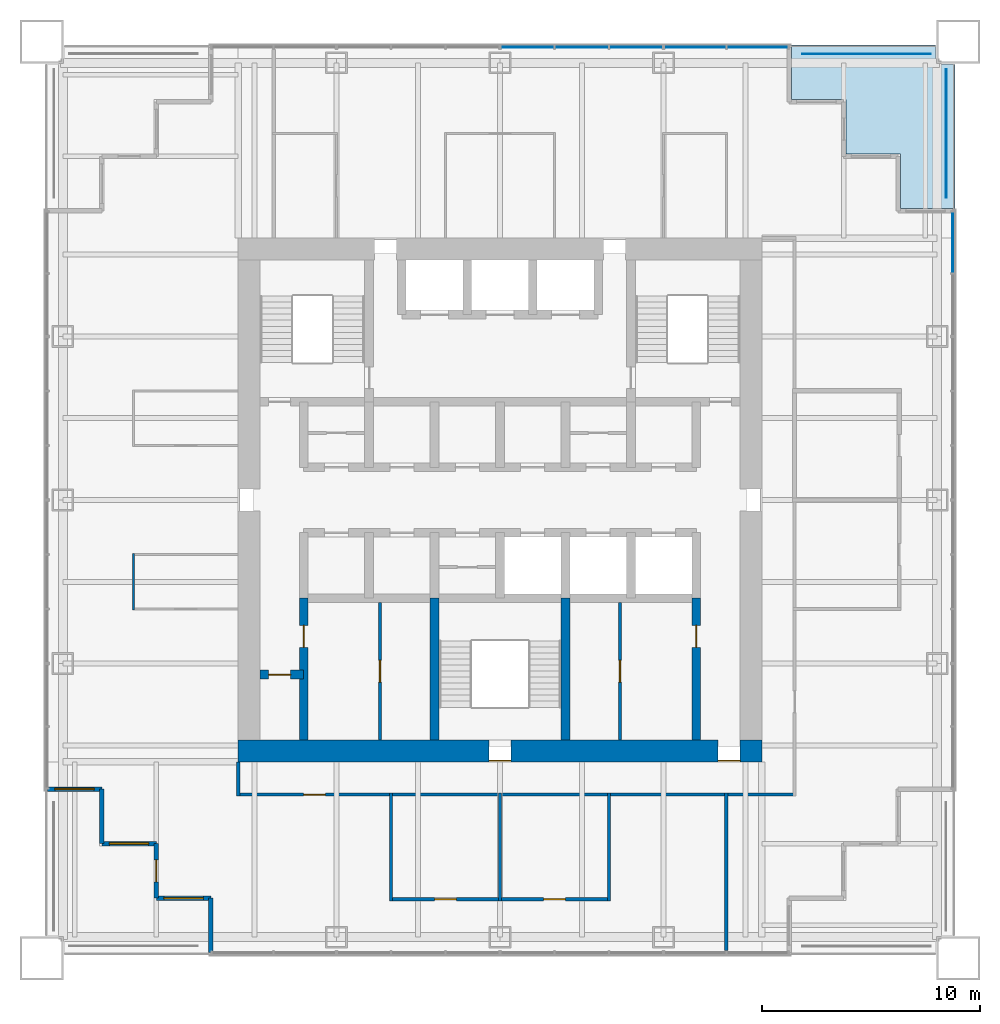
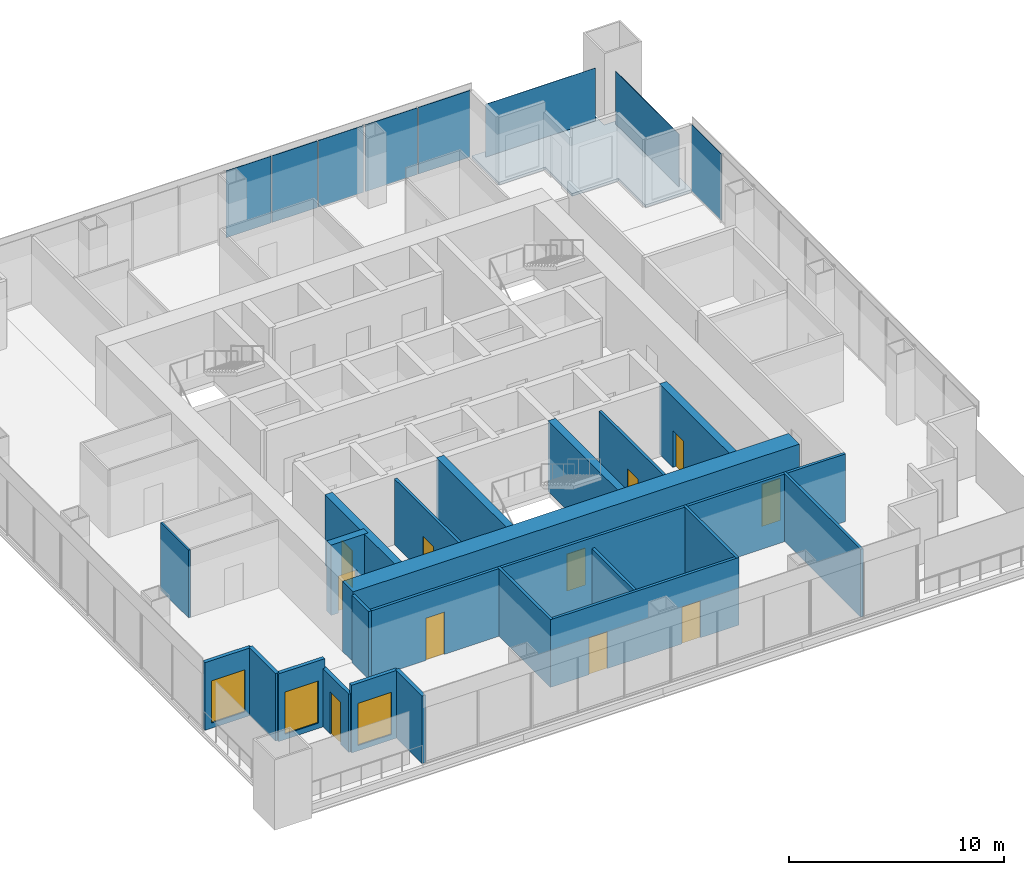
# One storey, part 9 of 14: 22 walls, 11 doors, 8 plates, 3 windows, 1 slab, 14 openings, 3 elements without a shape of their own.
"""IFC4 building model written with IfcOpenShell, lengths in metres."""

import ifcopenshell
import ifcopenshell.guid

model = None  # the IFC model being written
_history = None  # IfcOwnerHistory: only IFC2X3 demands one
_inside = {}  # id of a spatial element -> (the spatial element, [elements in it])
_under = {}  # id of a project, library or spatial element -> (it, [spatial elements below it])
_declared = {}  # id of a project -> (the project, [libraries it declares])
_typed = {}  # id of a type object -> (the type object, [elements of that type])
_made_of = {}  # id of a material, layer set ... -> (it, [elements and type objects made of it])


def new_model(schema):
    """Start an empty IFC model of exactly this schema.

    Asked for "IFC4X3", IfcOpenShell would pick the latest addendum, in which some entities
    have other attributes; the version numbers below select the first issue.
    IFC2X3 requires an IfcOwnerHistory on every rooted entity: one is made here for all.
    """
    global model, _history
    if schema == "IFC4X3":
        model = ifcopenshell.file(schema_version=(4, 3, 0, 0))
    else:
        model = ifcopenshell.file(schema=schema)
    _inside.clear()
    _under.clear()
    _declared.clear()
    _typed.clear()
    _made_of.clear()
    _history = None
    if model.schema == "IFC2X3":
        org = make("IfcOrganization", Name="unknown")
        user = make(
            "IfcPersonAndOrganization",
            ThePerson=make("IfcPerson", FamilyName="unknown"),
            TheOrganization=org,
        )
        app = make(
            "IfcApplication",
            ApplicationDeveloper=org,
            Version="unknown",
            ApplicationFullName="unknown",
            ApplicationIdentifier="unknown",
        )
        _history = make(
            "IfcOwnerHistory",
            OwningUser=user,
            OwningApplication=app,
            ChangeAction="ADDED",
            CreationDate=0,
        )
    return model


def make(cls, **values):
    """One entity of the class cls with the attributes given. An attribute that is None is left unset."""
    return model.create_entity(
        cls, **{name: value for name, value in values.items() if value is not None}
    )


def rooted(cls, **values):
    """An entity with a GlobalId (a new one), such as an element, a storey or a relation."""
    return make(cls, GlobalId=ifcopenshell.guid.new(), OwnerHistory=_history, **values)


def si_unit(unit_type, name, prefix=None):
    """IfcSIUnit, for example si_unit("LENGTHUNIT", "METRE", prefix="MILLI")."""
    return make("IfcSIUnit", UnitType=unit_type, Prefix=prefix, Name=name)


def assignment(units):
    """IfcUnitAssignment: the units of a project."""
    return None if units is None else make("IfcUnitAssignment", Units=units)


def point(xyz):
    """IfcCartesianPoint."""
    return None if xyz is None else make("IfcCartesianPoint", Coordinates=xyz)


def direction(xyz):
    """IfcDirection."""
    return None if xyz is None else make("IfcDirection", DirectionRatios=xyz)


def frame(location, z_axis=None, x_axis=None):
    """IfcAxis2Placement3D, a coordinate frame: its origin and axes. An axis left out is left unset."""
    return make(
        "IfcAxis2Placement3D",
        Location=point(location),
        Axis=direction(z_axis),
        RefDirection=direction(x_axis),
    )


def frame_2d(location, x_axis=None):
    """IfcAxis2Placement2D, a coordinate frame in the plane: its origin and x axis."""
    return make(
        "IfcAxis2Placement2D", Location=point(location), RefDirection=direction(x_axis)
    )


def origin():
    """The frame at (0, 0, 0) with its axes left unset."""
    return frame((0.0, 0.0, 0.0))


def origin_2d():
    """The frame at (0, 0) in the plane with its x axis left unset."""
    return frame_2d((0.0, 0.0))


def place(relative_to, where):
    """IfcLocalPlacement: puts the frame where relative to a parent placement (None: the world)."""
    return make(
        "IfcLocalPlacement", PlacementRelTo=relative_to, RelativePlacement=where
    )


def context(
    kind, dimensions, precision=None, world=None, true_north=None, identifier=None
):
    """IfcGeometricRepresentationContext, for example the 3D "Model" context."""
    return make(
        "IfcGeometricRepresentationContext",
        ContextIdentifier=identifier,
        ContextType=kind,
        CoordinateSpaceDimension=dimensions,
        Precision=precision,
        WorldCoordinateSystem=world,
        TrueNorth=true_north,
    )


def subcontext(parent, identifier, kind, view, scale=None):
    """IfcGeometricRepresentationSubContext, for example "Body" below "Model"."""
    return make(
        "IfcGeometricRepresentationSubContext",
        ContextIdentifier=identifier,
        ContextType=kind,
        ParentContext=parent,
        TargetScale=scale,
        TargetView=view,
    )


def project(units=None, contexts=None):
    """IfcProject with its units and contexts."""
    return rooted(
        "IfcProject",
        Name="project",
        RepresentationContexts=contexts,
        UnitsInContext=assignment(units),
    )


def spatial(cls, under=None, at=None, **own):
    """A site, building, storey or space (cls), placed at a placement, below another one or the project."""
    s = rooted(cls, ObjectPlacement=at, **own)
    if under is not None:
        _under.setdefault(under.id(), (under, []))[1].append(s)
    return s


def polyline(points):
    """IfcPolyline through the points."""
    return make("IfcPolyline", Points=[point(p) for p in points])


def profile(cls, at=None, kind="AREA", **sizes):
    """A parametric profile (cls). Its sizes go by their IFC names, for example OverallWidth=200.0."""
    return make(cls, ProfileType=kind, Position=at, **sizes)


def rectangle(**sizes):
    """IfcRectangleProfileDef."""
    return profile("IfcRectangleProfileDef", **sizes)


def outline(outer, holes=None, kind="AREA"):
    """IfcArbitraryClosedProfileDef: a profile drawn as a closed curve; with holes, ...WithVoids."""
    if holes is None:
        return make("IfcArbitraryClosedProfileDef", ProfileType=kind, OuterCurve=outer)
    return make(
        "IfcArbitraryProfileDefWithVoids",
        ProfileType=kind,
        OuterCurve=outer,
        InnerCurves=holes,
    )


def extrude(swept, where, along, depth):
    """IfcExtrudedAreaSolid: the profile swept, set in the frame where, extruded along a direction by depth."""
    return make(
        "IfcExtrudedAreaSolid",
        SweptArea=swept,
        Position=where,
        ExtrudedDirection=direction(along),
        Depth=depth,
    )


def shape(context_of_items, identifier, shape_type, items):
    """IfcShapeRepresentation: the items that make up one representation, for example the "Body"."""
    return make(
        "IfcShapeRepresentation",
        ContextOfItems=context_of_items,
        RepresentationIdentifier=identifier,
        RepresentationType=shape_type,
        Items=items,
    )


def material(Name=None, Category=None):
    """IfcMaterial."""
    return make("IfcMaterial", Name=Name, Category=Category)


def layer(
    of_material, thickness, ventilated=None, Name=None, Category=None, Priority=None
):
    """IfcMaterialLayer: one layer of a wall or slab, of a material (None: an air gap)."""
    return make(
        "IfcMaterialLayer",
        Material=of_material,
        LayerThickness=thickness,
        IsVentilated=ventilated,
        Name=Name,
        Category=Category,
        Priority=Priority,
    )


def layer_set(layers, Name=None):
    """IfcMaterialLayerSet."""
    return make("IfcMaterialLayerSet", MaterialLayers=layers, LayerSetName=Name)


def made_of(thing, what):
    """Note that an element or type object is made of a material, layer set ...; save() writes the relation."""
    if what is not None:
        _made_of.setdefault(what.id(), (what, []))[1].append(thing)
    return thing


def type_object(cls, material=None, **own):
    """A type object (cls), such as IfcWallType, which elements share."""
    return made_of(rooted(cls, **own), material)


def element(
    cls,
    number,
    at=None,
    inside=None,
    cuts=None,
    type_object=None,
    material=None,
    context=None,
    identifier="Body",
    shape_type=None,
    held_by="IfcProductDefinitionShape",
    body=None,
    shapes=None,
    **own,
):
    """One element of the class cls, such as IfcWall. Its Tag is "e" and its number.

    at: its placement. inside: the storey or other place that contains it. cuts: it is an
    opening in that element (IfcRelVoidsElement). A single representation is given by context,
    identifier, shape_type and body (its items); several are given by shapes. held_by: the class
    of the entity that holds the representations. save() writes the other relations.
    """
    e = rooted(cls, Tag="e%d" % number, ObjectPlacement=at, **own)
    if body is not None:
        shapes = [shape(context, identifier, shape_type, body)]
    if shapes is not None:
        e.Representation = make(held_by, Representations=shapes)
    if inside is not None:
        _inside.setdefault(inside.id(), (inside, []))[1].append(e)
    if cuts is not None:
        rooted(
            "IfcRelVoidsElement", RelatingBuildingElement=cuts, RelatedOpeningElement=e
        )
    if type_object is not None:
        _typed.setdefault(type_object.id(), (type_object, []))[1].append(e)
    return made_of(e, material)


def fill(opening, filler):
    """IfcRelFillsElement: the door or window that sits in an opening."""
    return rooted(
        "IfcRelFillsElement",
        RelatingOpeningElement=opening,
        RelatedBuildingElement=filler,
    )


def aggregate(whole, parts):
    """IfcRelAggregates: a whole, such as a stair, and the parts it consists of."""
    return rooted("IfcRelAggregates", RelatingObject=whole, RelatedObjects=parts)


def save(model, path):
    """Write the relations noted so far, then the file.

    IfcRelAggregates (storeys below a building ...), IfcRelContainedInSpatialStructure (elements
    in a storey), IfcRelDefinesByType, IfcRelAssociatesMaterial and IfcRelDeclares: one each for
    every whole, place, type object, material and project.
    """
    for whole, parts in _under.values():
        aggregate(whole, parts)
    for where, things in _inside.values():
        rooted(
            "IfcRelContainedInSpatialStructure",
            RelatedElements=things,
            RelatingStructure=where,
        )
    for kind, things in _typed.values():
        rooted("IfcRelDefinesByType", RelatedObjects=things, RelatingType=kind)
    for what, things in _made_of.values():
        rooted("IfcRelAssociatesMaterial", RelatedObjects=things, RelatingMaterial=what)
    for by, libraries in _declared.values():
        rooted("IfcRelDeclares", RelatingContext=by, RelatedDefinitions=libraries)
    model.write(path)


model = new_model("IFC4")

# Units and contexts
model_context = context("Model", 3, precision=1e-05, world=origin(), true_north=direction((0.0, 1.0)))
body_context = subcontext(model_context, "Body", "Model", "MODEL_VIEW")
ifc_project = project(units=[si_unit("LENGTHUNIT", "METRE"), si_unit("AREAUNIT", "SQUARE_METRE"), si_unit("VOLUMEUNIT", "CUBIC_METRE"), si_unit("PLANEANGLEUNIT", "RADIAN"), si_unit("MASSUNIT", "GRAM", prefix="KILO")], contexts=[model_context])

# Site, building, storey
site_placement = place(None, origin())
site = spatial("IfcSite", under=ifc_project, at=site_placement, CompositionType="ELEMENT")
building_placement = place(site_placement, origin())
building = spatial("IfcBuilding", under=site, at=building_placement, Name="Tarangal Relay Tower", CompositionType="ELEMENT")
storey_placement = place(building_placement, frame((0.0, 0.0, 291.89990234375)))
storey = spatial("IfcBuildingStorey", under=building, at=storey_placement, Name="L64", CompositionType="ELEMENT", Elevation=291.89990234375)

# Curtain wall, plates
ifc_material_1 = material(Name="Unitised curtain wall, dark glass and black aluminium", Category="aluminium")
curtain_wall_type = type_object("IfcCurtainWallType", Name="Curtain wall CW-B", PredefinedType="USERDEFINED", material=ifc_material_1)
curtain_wall_1_placement = place(storey_placement, origin())
curtain_wall_1 = element("IfcCurtainWall", 1, at=curtain_wall_1_placement, inside=storey, type_object=curtain_wall_type, Name="Curtain wall CW-B N facade L64", ObjectType="UNITISED CURTAIN WALL", PredefinedType="USERDEFINED")
ifc_material_2 = material(Name="Dark tinted insulated glass unit", Category="glass")
ifc_layer_1 = layer(ifc_material_2, 0.030029296875)
ifc_layer_set_1 = layer_set([ifc_layer_1], Name="Glazed panel CW-B 30")
plate_type_1 = type_object("IfcPlateType", Name="Glazed panel CW-B 30", PredefinedType="CURTAIN_PANEL", material=ifc_layer_set_1)
plate_1_placement = place(storey_placement, frame((1.264892578125, 20.75, 0.06005859375), z_axis=(0.0, 0.0, 1.0), x_axis=(1.0, 0.0, 0.0)))
plate_1 = element("IfcPlate", 2, at=plate_1_placement, type_object=plate_type_1, Name="CW-B panel 1.1", PredefinedType="CURTAIN_PANEL", context=body_context, shape_type="SweptSolid", body=[
    extrude(rectangle(XDim=2.409912109375, YDim=0.030029296875, at=origin_2d()), origin(), (0.0, 0.0, 1.0), 3.7900390625),
])
plate_2_placement = place(storey_placement, frame((3.75, 20.75, 0.06005859375), z_axis=(0.0, 0.0, 1.0), x_axis=(1.0, 0.0, 0.0)))
plate_2 = element("IfcPlate", 3, at=plate_2_placement, type_object=plate_type_1, Name="CW-B panel 2.1", PredefinedType="CURTAIN_PANEL", context=body_context, shape_type="SweptSolid", body=[
    extrude(rectangle(XDim=2.43994140625, YDim=0.030029296875, at=origin_2d()), origin(), (0.0, 0.0, 1.0), 3.7900390625),
])
plate_3_placement = place(storey_placement, frame((6.235107421875, 20.75, 0.06005859375), z_axis=(0.0, 0.0, 1.0), x_axis=(1.0, 0.0, 0.0)))
plate_3 = element("IfcPlate", 4, at=plate_3_placement, type_object=plate_type_1, Name="CW-B panel 3.1", PredefinedType="CURTAIN_PANEL", context=body_context, shape_type="SweptSolid", body=[
    extrude(rectangle(XDim=2.409912109375, YDim=0.030029296875, at=origin_2d()), origin(), (0.0, 0.0, 1.0), 3.7900390625),
])
aggregate(curtain_wall_1, [plate_1, plate_2, plate_3])

curtain_wall_2_placement = place(storey_placement, origin())
curtain_wall_2 = element("IfcCurtainWall", 5, at=curtain_wall_2_placement, inside=storey, type_object=curtain_wall_type, Name="Curtain wall CW-B N facade L64", ObjectType="UNITISED CURTAIN WALL", PredefinedType="USERDEFINED")
plate_4_placement = place(storey_placement, frame((8.952392578125, 20.75, 0.06005859375), z_axis=(0.0, 0.0, 1.0), x_axis=(1.0, 0.0, 0.0)))
plate_4 = element("IfcPlate", 6, at=plate_4_placement, type_object=plate_type_1, Name="CW-B panel 1.1", PredefinedType="CURTAIN_PANEL", context=body_context, shape_type="SweptSolid", body=[
    extrude(rectangle(XDim=2.784912109375, YDim=0.030029296875, at=origin_2d()), origin(), (0.0, 0.0, 1.0), 3.7900390625),
])
plate_5_placement = place(storey_placement, frame((11.797607421875, 20.75, 0.06005859375), z_axis=(0.0, 0.0, 1.0), x_axis=(1.0, 0.0, 0.0)))
plate_5 = element("IfcPlate", 7, at=plate_5_placement, type_object=plate_type_1, Name="CW-B panel 2.1", PredefinedType="CURTAIN_PANEL", context=body_context, shape_type="SweptSolid", body=[
    extrude(rectangle(XDim=2.784912109375, YDim=0.030029296875, at=origin_2d()), origin(), (0.0, 0.0, 1.0), 3.7900390625),
])
aggregate(curtain_wall_2, [plate_4, plate_5])

# Curtain wall, plate
curtain_wall_3_placement = place(storey_placement, origin())
curtain_wall_3 = element("IfcCurtainWall", 8, at=curtain_wall_3_placement, inside=storey, type_object=curtain_wall_type, Name="Curtain wall CW-B E facade L64", ObjectType="UNITISED CURTAIN WALL", PredefinedType="USERDEFINED")
plate_6_placement = place(storey_placement, frame((20.75, 11.797607421875, 0.06005859375), z_axis=(0.0, 0.0, 1.0), x_axis=(0.0, -1.0, 0.0)))
plate_6 = element("IfcPlate", 9, at=plate_6_placement, type_object=plate_type_1, Name="CW-B panel 1.1", PredefinedType="CURTAIN_PANEL", context=body_context, shape_type="SweptSolid", body=[
    extrude(rectangle(XDim=2.784912109375, YDim=0.030029296875, at=origin_2d()), origin(), (0.0, 0.0, 1.0), 3.7900390625),
])
aggregate(curtain_wall_3, [plate_6])

# Plates
ifc_material_3 = material(Name="Black stainless steel cable trellis with climbing planting", Category="steel")
ifc_layer_2 = layer(ifc_material_3, 0.030029296875)
ifc_layer_set_2 = layer_set([ifc_layer_2], Name="Planted trellis screen")
plate_type_2 = type_object("IfcPlateType", Name="Planted trellis screen", PredefinedType="SHEET", material=ifc_layer_set_2)
plate_7_placement = place(storey_placement, frame((20.449951171875, 16.800048828125, 0.0), z_axis=(0.0, 0.0, 1.0), x_axis=(0.0, -1.0, 0.0)))
element("IfcPlate", 10, at=plate_7_placement, inside=storey, type_object=plate_type_2, Name="Planted trellis SC2 NE L64", PredefinedType="SHEET", context=body_context, shape_type="SweptSolid", body=[
    extrude(rectangle(XDim=5.89990234375, YDim=0.030029296875, at=origin_2d()), origin(), (0.0, 0.0, 1.0), 3.0),
])
ifc_material_4 = material(Name="Perforated black aluminium screen", Category="aluminium")
ifc_layer_3 = layer(ifc_material_4, 0.02001953125)
ifc_layer_set_3 = layer_set([ifc_layer_3], Name="Terrace screen panel")
plate_type_3 = type_object("IfcPlateType", Name="Terrace screen panel", PredefinedType="SHEET", material=ifc_layer_set_3)
plate_8_placement = place(storey_placement, frame((16.800048828125, 20.449951171875, 0.0), z_axis=(0.0, 0.0, 1.0), x_axis=(1.0, 0.0, 0.0)))
element("IfcPlate", 11, at=plate_8_placement, inside=storey, type_object=plate_type_3, Name="Terrace screen SC1 NE L64", PredefinedType="SHEET", context=body_context, shape_type="SweptSolid", body=[
    extrude(rectangle(XDim=5.89990234375, YDim=0.02001953125, at=origin_2d()), origin(), (0.0, 0.0, 1.0), 3.0),
])

# Slab
ifc_material_5 = material(Name="Concrete fc' 35 MPa", Category="concrete")
ifc_layer_4 = layer(ifc_material_5, 0.14990234375)
ifc_layer_set_4 = layer_set([ifc_layer_4], Name="Terrace slab 150")
slab_type = type_object("IfcSlabType", Name="Terrace slab 150", PredefinedType="FLOOR", material=ifc_layer_set_4)
slab_placement = place(storey_placement, frame((0.0, 0.0, -0.14990234375)))
element("IfcSlab", 12, at=slab_placement, inside=storey, type_object=slab_type, Name="Corner terrace NE L64", PredefinedType="FLOOR", context=body_context, shape_type="SweptSolid", body=[
    extrude(outline(polyline([(13.35009765625, 20.85009765625), (13.35009765625, 18.35009765625), (15.85009765625, 18.35009765625), (15.85009765625, 15.85009765625), (18.35009765625, 15.85009765625), (18.35009765625, 13.35009765625), (20.85009765625, 13.35009765625), (20.85009765625, 19.949951171875), (19.949951171875, 19.949951171875), (19.949951171875, 20.85009765625), (13.35009765625, 20.85009765625)])), origin(), (0.0, 0.0, 1.0), 0.14990234375),
])

# Wall, opening, door
ifc_material_6 = material(Name="Concrete fc' 60 MPa", Category="concrete")
ifc_layer_5 = layer(ifc_material_6, 0.39990234375)
ifc_layer_set_5 = layer_set([ifc_layer_5], Name="Core inner wall 400")
wall_type_1 = type_object("IfcWallType", Name="Core inner wall 400", PredefinedType="SHEAR", material=ifc_layer_set_5)
wall_1_placement = place(storey_placement, frame((-11.0, -8.0, 0.0), z_axis=(0.0, 0.0, 1.0), x_axis=(1.0, 0.0, 0.0)))
wall_1 = element("IfcWall", 13, at=wall_1_placement, inside=storey, type_object=wall_type_1, Name="Core wall YM8 L64", PredefinedType="SHEAR", context=body_context, shape_type="SweptSolid", body=[
    extrude(rectangle(XDim=2.0, YDim=0.39990234375, at=frame_2d((1.0, 0.0))), origin(), (0.0, 0.0, 1.0), 4.0),
])
opening_1_placement = place(wall_1_placement, frame((0.39990234375, 0.0, 0.0)))
opening_1 = element("IfcOpeningElement", 14, at=opening_1_placement, cuts=wall_1, Name="Opening D1", PredefinedType="OPENING", context=body_context, shape_type="SweptSolid", body=[
    extrude(rectangle(XDim=1.0, YDim=2.10009765625, at=frame_2d((0.5, 1.050048828125))), frame((0.0, 0.2099609375, 0.0), z_axis=(0.0, -1.0, 0.0), x_axis=(1.0, 0.0, 0.0)), (0.0, 0.0, 1.0), 0.419921875),
])
ifc_material_7 = material(Name="Hardwood door", Category="wood")
door_type_1 = type_object("IfcDoorType", Name="WC door 1000 x 2100", OperationType="SINGLE_SWING_LEFT", PredefinedType="DOOR", material=ifc_material_7)
door_1_placement = place(opening_1_placement, origin())
door_1 = element("IfcDoor", 15, at=door_1_placement, inside=storey, type_object=door_type_1, Name="Accessible WC door L64", OperationType="SINGLE_SWING_LEFT", OverallHeight=2.10009765625, OverallWidth=1.0, PredefinedType="DOOR", context=body_context, shape_type="SweptSolid", body=[
    extrude(rectangle(XDim=1.0, YDim=2.10009765625, at=frame_2d((0.5, 1.050048828125))), frame((0.0, 0.02490234375, 0.0), z_axis=(0.0, -1.0, 0.0), x_axis=(1.0, 0.0, 0.0)), (0.0, 0.0, 1.0), 0.050048828125),
])
fill(opening_1, door_1)

wall_2_placement = place(storey_placement, frame((-9.0, -11.0, 0.0), z_axis=(0.0, 0.0, 1.0), x_axis=(0.0, 1.0, 0.0)))
wall_2 = element("IfcWall", 16, at=wall_2_placement, inside=storey, type_object=wall_type_1, Name="Core wall XM9W L64", PredefinedType="SHEAR", context=body_context, shape_type="SweptSolid", body=[
    extrude(rectangle(XDim=6.5, YDim=0.39990234375, at=frame_2d((3.25, 0.0))), origin(), (0.0, 0.0, 1.0), 4.0),
])
opening_2_placement = place(wall_2_placement, frame((4.25, 0.0, 0.0)))
opening_2 = element("IfcOpeningElement", 17, at=opening_2_placement, cuts=wall_2, Name="Opening D1", PredefinedType="OPENING", context=body_context, shape_type="SweptSolid", body=[
    extrude(rectangle(XDim=1.0, YDim=2.10009765625, at=frame_2d((0.5, 1.050048828125))), frame((0.0, 0.2099609375, 0.0), z_axis=(0.0, -1.0, 0.0), x_axis=(1.0, 0.0, 0.0)), (0.0, 0.0, 1.0), 0.419921875),
])
door_2_placement = place(opening_2_placement, origin())
door_2 = element("IfcDoor", 18, at=door_2_placement, inside=storey, type_object=door_type_1, Name="Male WC door L64", OperationType="SINGLE_SWING_LEFT", OverallHeight=2.10009765625, OverallWidth=1.0, PredefinedType="DOOR", context=body_context, shape_type="SweptSolid", body=[
    extrude(rectangle(XDim=1.0, YDim=2.10009765625, at=frame_2d((0.5, 1.050048828125))), frame((0.0, 0.02490234375, 0.0), z_axis=(0.0, -1.0, 0.0), x_axis=(1.0, 0.0, 0.0)), (0.0, 0.0, 1.0), 0.050048828125),
])
fill(opening_2, door_2)

wall_3_placement = place(storey_placement, frame((9.0, -11.0, 0.0), z_axis=(0.0, 0.0, 1.0), x_axis=(0.0, 1.0, 0.0)))
wall_3 = element("IfcWall", 19, at=wall_3_placement, inside=storey, type_object=wall_type_1, Name="Core wall X9W L64", PredefinedType="SHEAR", context=body_context, shape_type="SweptSolid", body=[
    extrude(rectangle(XDim=6.5, YDim=0.39990234375, at=frame_2d((3.25, 0.0))), origin(), (0.0, 0.0, 1.0), 4.0),
])
opening_3_placement = place(wall_3_placement, frame((4.25, 0.0, 0.0)))
opening_3 = element("IfcOpeningElement", 20, at=opening_3_placement, cuts=wall_3, Name="Opening D1", PredefinedType="OPENING", context=body_context, shape_type="SweptSolid", body=[
    extrude(rectangle(XDim=1.0, YDim=2.10009765625, at=frame_2d((0.5, 1.050048828125))), frame((0.0, 0.2099609375, 0.0), z_axis=(0.0, -1.0, 0.0), x_axis=(1.0, 0.0, 0.0)), (0.0, 0.0, 1.0), 0.419921875),
])
door_3_placement = place(opening_3_placement, origin())
door_3 = element("IfcDoor", 21, at=door_3_placement, inside=storey, type_object=door_type_1, Name="Female WC door L64", OperationType="SINGLE_SWING_LEFT", OverallHeight=2.10009765625, OverallWidth=1.0, PredefinedType="DOOR", context=body_context, shape_type="SweptSolid", body=[
    extrude(rectangle(XDim=1.0, YDim=2.10009765625, at=frame_2d((0.5, 1.050048828125))), frame((0.0, 0.02490234375, 0.0), z_axis=(0.0, -1.0, 0.0), x_axis=(1.0, 0.0, 0.0)), (0.0, 0.0, 1.0), 0.050048828125),
])
fill(opening_3, door_3)

# Walls
for number, where, z_axis, x_axis, name in (
    (22, (-3.0, -11.0, 0.0), (0.0, 0.0, 1.0), (0.0, 1.0, 0.0), "Core wall XM3W L64"),
    (23, (3.0, -11.0, 0.0), (0.0, 0.0, 1.0), (0.0, 1.0, 0.0), "Core wall X3W L64"),
):
    element("IfcWall", number, at=place(storey_placement, frame(where, z_axis=z_axis, x_axis=x_axis)), inside=storey, type_object=wall_type_1, Name=name, PredefinedType="SHEAR", context=body_context, shape_type="SweptSolid", body=[
        extrude(rectangle(XDim=6.5, YDim=0.39990234375, at=frame_2d((3.25, 0.0))), origin(), (0.0, 0.0, 1.0), 4.0),
    ])

# Wall, openings, doors
ifc_layer_6 = layer(ifc_material_6, 1.0)
ifc_layer_set_6 = layer_set([ifc_layer_6], Name="Core wall 1000")
wall_type_2 = type_object("IfcWallType", Name="Core wall 1000", PredefinedType="SHEAR", material=ifc_layer_set_6)
wall_4_placement = place(storey_placement, frame((12.0, -11.5, 0.0), z_axis=(0.0, 0.0, 1.0), x_axis=(-1.0, 0.0, 0.0)))
wall_4 = element("IfcWall", 24, at=wall_4_placement, inside=storey, type_object=wall_type_2, Name="Core wall S L64", PredefinedType="SHEAR", context=body_context, shape_type="SweptSolid", body=[
    extrude(rectangle(XDim=24.0, YDim=1.0, at=frame_2d((12.0, 0.0))), origin(), (0.0, 0.0, 1.0), 4.0),
])
opening_4_placement = place(wall_4_placement, frame((11.5, 0.0, 0.0)))
opening_4 = element("IfcOpeningElement", 25, at=opening_4_placement, cuts=wall_4, Name="Opening FD1", PredefinedType="OPENING", context=body_context, shape_type="SweptSolid", body=[
    extrude(rectangle(XDim=1.0, YDim=2.10009765625, at=frame_2d((0.5, 1.050048828125))), frame((0.0, 0.510009765625, 0.0), z_axis=(0.0, -1.0, 0.0), x_axis=(1.0, 0.0, 0.0)), (0.0, 0.0, 1.0), 1.02001953125),
])
opening_5_placement = place(wall_4_placement, frame((1.0, 0.0, 0.0)))
opening_5 = element("IfcOpeningElement", 26, at=opening_5_placement, cuts=wall_4, Name="Opening FD3", PredefinedType="OPENING", context=body_context, shape_type="SweptSolid", body=[
    extrude(rectangle(XDim=1.0, YDim=2.39990234375, at=frame_2d((0.5, 1.199951171875))), frame((0.0, 0.510009765625, 0.0), z_axis=(0.0, -1.0, 0.0), x_axis=(1.0, 0.0, 0.0)), (0.0, 0.0, 1.0), 1.02001953125),
])
ifc_material_8 = material(Name="Steel door with hardwood frame", Category="steel")
door_type_2 = type_object("IfcDoorType", Name="Fire door 1000 x 2100", OperationType="SINGLE_SWING_LEFT", PredefinedType="DOOR", material=ifc_material_8)
door_4_placement = place(opening_4_placement, origin())
door_4 = element("IfcDoor", 27, at=door_4_placement, inside=storey, type_object=door_type_2, Name="Stair ST-C door L64", OperationType="SINGLE_SWING_LEFT", OverallHeight=2.10009765625, OverallWidth=1.0, PredefinedType="DOOR", context=body_context, shape_type="SweptSolid", body=[
    extrude(rectangle(XDim=1.0, YDim=2.10009765625, at=frame_2d((0.5, 1.050048828125))), frame((0.0, 0.48486328125, 0.0), z_axis=(0.0, -1.0, 0.0), x_axis=(1.0, 0.0, 0.0)), (0.0, 0.0, 1.0), 0.050048828125),
])
fill(opening_4, door_4)
door_type_3 = type_object("IfcDoorType", Name="Fire door 1000 x 2400 core entry", OperationType="SINGLE_SWING_RIGHT", PredefinedType="DOOR", material=ifc_material_8)
door_5_placement = place(opening_5_placement, origin())
door_5 = element("IfcDoor", 28, at=door_5_placement, inside=storey, type_object=door_type_3, Name="Core entry door south east L64", OperationType="SINGLE_SWING_RIGHT", OverallHeight=2.39990234375, OverallWidth=1.0, PredefinedType="DOOR", context=body_context, shape_type="SweptSolid", body=[
    extrude(rectangle(XDim=1.0, YDim=2.39990234375, at=frame_2d((0.5, 1.199951171875))), frame((0.0, 0.48486328125, 0.0), z_axis=(0.0, -1.0, 0.0), x_axis=(1.0, 0.0, 0.0)), (0.0, 0.0, 1.0), 0.050048828125),
])
fill(opening_5, door_5)

# Wall
ifc_material_9 = material(Name="Black metal clad insulated wall", Category="steel")
ifc_layer_7 = layer(ifc_material_9, 0.199951171875)
ifc_layer_set_7 = layer_set([ifc_layer_7], Name="Corner wall metal clad 200")
wall_type_3 = type_object("IfcWallType", Name="Corner wall metal clad 200", PredefinedType="SOLIDWALL", material=ifc_layer_set_7)
wall_5_placement = place(storey_placement, frame((-13.25, -20.75, 0.0), z_axis=(0.0, 0.0, 1.0), x_axis=(0.0, 1.0, 0.0)))
element("IfcWall", 29, at=wall_5_placement, inside=storey, type_object=wall_type_3, Name="Facade wall S facade L64", PredefinedType="SOLIDWALL", context=body_context, shape_type="SweptSolid", body=[
    extrude(rectangle(XDim=2.5, YDim=0.199951171875, at=frame_2d((1.25, 0.0))), origin(), (0.0, 0.0, 1.0), 3.85009765625),
])

# Wall, opening, window
wall_6_placement = place(storey_placement, frame((-13.25, -18.25, 0.0), z_axis=(0.0, 0.0, 1.0), x_axis=(-1.0, 0.0, 0.0)))
wall_6 = element("IfcWall", 30, at=wall_6_placement, inside=storey, type_object=wall_type_3, Name="Facade wall S facade L64", PredefinedType="SOLIDWALL", context=body_context, shape_type="SweptSolid", body=[
    extrude(rectangle(XDim=2.5, YDim=0.199951171875, at=frame_2d((1.25, 0.0))), origin(), (0.0, 0.0, 1.0), 3.85009765625),
])
opening_6_placement = place(wall_6_placement, frame((0.35009765625, 0.0, 0.300048828125)))
opening_6 = element("IfcOpeningElement", 31, at=opening_6_placement, cuts=wall_6, Name="Opening WN2", PredefinedType="OPENING", context=body_context, shape_type="SweptSolid", body=[
    extrude(rectangle(XDim=1.800048828125, YDim=2.39990234375, at=frame_2d((0.89990234375, 1.199951171875))), frame((0.0, 0.10986328125, 0.0), z_axis=(0.0, -1.0, 0.0), x_axis=(1.0, 0.0, 0.0)), (0.0, 0.0, 1.0), 0.219970703125),
])
ifc_material_10 = material(Name="Dark tinted double glazing in black aluminium frame", Category="aluminium")
window_type = type_object("IfcWindowType", Name="Corner window 1800 x 2400", PartitioningType="SINGLE_PANEL", PredefinedType="WINDOW", material=ifc_material_10)
window_1_placement = place(opening_6_placement, origin())
window_1 = element("IfcWindow", 32, at=window_1_placement, inside=storey, type_object=window_type, Name="Corner window WN2 S facade L64", OverallHeight=2.39990234375, OverallWidth=1.800048828125, PartitioningType="SINGLE_PANEL", PredefinedType="WINDOW", context=body_context, shape_type="SweptSolid", body=[
    extrude(rectangle(XDim=1.800048828125, YDim=2.39990234375, at=frame_2d((0.89990234375, 1.199951171875))), frame((0.0, 0.030029296875, 0.0), z_axis=(0.0, -1.0, 0.0), x_axis=(1.0, 0.0, 0.0)), (0.0, 0.0, 1.0), 0.06005859375),
])
fill(opening_6, window_1)

# Wall, opening, door
wall_7_placement = place(storey_placement, frame((-15.75, -18.25, 0.0), z_axis=(0.0, 0.0, 1.0), x_axis=(0.0, 1.0, 0.0)))
wall_7 = element("IfcWall", 33, at=wall_7_placement, inside=storey, type_object=wall_type_3, Name="Facade wall S facade L64", PredefinedType="SOLIDWALL", context=body_context, shape_type="SweptSolid", body=[
    extrude(rectangle(XDim=2.5, YDim=0.199951171875, at=frame_2d((1.25, 0.0))), origin(), (0.0, 0.0, 1.0), 3.316650390625),
])
opening_7_placement = place(wall_7_placement, frame((0.75, 0.0, 0.0)))
opening_7 = element("IfcOpeningElement", 34, at=opening_7_placement, cuts=wall_7, Name="Opening TD1", PredefinedType="OPENING", context=body_context, shape_type="SweptSolid", body=[
    extrude(rectangle(XDim=1.0, YDim=2.39990234375, at=frame_2d((0.5, 1.199951171875))), frame((0.0, 0.10986328125, 0.0), z_axis=(0.0, -1.0, 0.0), x_axis=(1.0, 0.0, 0.0)), (0.0, 0.0, 1.0), 0.219970703125),
])
ifc_material_11 = material(Name="Aluminium glazed door", Category="aluminium")
door_type_4 = type_object("IfcDoorType", Name="Terrace door 1000 x 2400", OperationType="SINGLE_SWING_RIGHT", PredefinedType="DOOR", material=ifc_material_11)
door_6_placement = place(opening_7_placement, origin())
door_6 = element("IfcDoor", 35, at=door_6_placement, inside=storey, type_object=door_type_4, Name="Terrace door TD1 SW L64", OperationType="SINGLE_SWING_RIGHT", OverallHeight=2.39990234375, OverallWidth=1.0, PredefinedType="DOOR", context=body_context, shape_type="SweptSolid", body=[
    extrude(rectangle(XDim=1.0, YDim=2.39990234375, at=frame_2d((0.5, 1.199951171875))), frame((0.0, 0.02490234375, 0.0), z_axis=(0.0, -1.0, 0.0), x_axis=(1.0, 0.0, 0.0)), (0.0, 0.0, 1.0), 0.050048828125),
])
fill(opening_7, door_6)

# Wall, opening, window
wall_8_placement = place(storey_placement, frame((-15.75, -15.75, 0.0), z_axis=(0.0, 0.0, 1.0), x_axis=(-1.0, 0.0, 0.0)))
wall_8 = element("IfcWall", 36, at=wall_8_placement, inside=storey, type_object=wall_type_3, Name="Facade wall S facade L64", PredefinedType="SOLIDWALL", context=body_context, shape_type="SweptSolid", body=[
    extrude(rectangle(XDim=2.5, YDim=0.199951171875, at=frame_2d((1.25, 0.0))), origin(), (0.0, 0.0, 1.0), 3.85009765625),
])
opening_8_placement = place(wall_8_placement, frame((0.35009765625, 0.0, 0.300048828125)))
opening_8 = element("IfcOpeningElement", 37, at=opening_8_placement, cuts=wall_8, Name="Opening WN2", PredefinedType="OPENING", context=body_context, shape_type="SweptSolid", body=[
    extrude(rectangle(XDim=1.800048828125, YDim=2.39990234375, at=frame_2d((0.89990234375, 1.199951171875))), frame((0.0, 0.10986328125, 0.0), z_axis=(0.0, -1.0, 0.0), x_axis=(1.0, 0.0, 0.0)), (0.0, 0.0, 1.0), 0.219970703125),
])
window_2_placement = place(opening_8_placement, origin())
window_2 = element("IfcWindow", 38, at=window_2_placement, inside=storey, type_object=window_type, Name="Corner window WN2 S facade L64", OverallHeight=2.39990234375, OverallWidth=1.800048828125, PartitioningType="SINGLE_PANEL", PredefinedType="WINDOW", context=body_context, shape_type="SweptSolid", body=[
    extrude(rectangle(XDim=1.800048828125, YDim=2.39990234375, at=frame_2d((0.89990234375, 1.199951171875))), frame((0.0, 0.030029296875, 0.0), z_axis=(0.0, -1.0, 0.0), x_axis=(1.0, 0.0, 0.0)), (0.0, 0.0, 1.0), 0.06005859375),
])
fill(opening_8, window_2)

# Wall
wall_9_placement = place(storey_placement, frame((-18.25, -15.75, 0.0), z_axis=(0.0, 0.0, 1.0), x_axis=(0.0, 1.0, 0.0)))
element("IfcWall", 39, at=wall_9_placement, inside=storey, type_object=wall_type_3, Name="Facade wall S facade L64", PredefinedType="SOLIDWALL", context=body_context, shape_type="SweptSolid", body=[
    extrude(rectangle(XDim=2.5, YDim=0.199951171875, at=frame_2d((1.25, 0.0))), origin(), (0.0, 0.0, 1.0), 3.85009765625),
])

# Wall, opening, window
wall_10_placement = place(storey_placement, frame((-18.25, -13.25, 0.0), z_axis=(0.0, 0.0, 1.0), x_axis=(-1.0, 0.0, 0.0)))
wall_10 = element("IfcWall", 40, at=wall_10_placement, inside=storey, type_object=wall_type_3, Name="Facade wall S facade L64", PredefinedType="SOLIDWALL", context=body_context, shape_type="SweptSolid", body=[
    extrude(rectangle(XDim=2.5, YDim=0.199951171875, at=frame_2d((1.25, 0.0))), origin(), (0.0, 0.0, 1.0), 3.85009765625),
])
opening_9_placement = place(wall_10_placement, frame((0.35009765625, 0.0, 0.300048828125)))
opening_9 = element("IfcOpeningElement", 41, at=opening_9_placement, cuts=wall_10, Name="Opening WN2", PredefinedType="OPENING", context=body_context, shape_type="SweptSolid", body=[
    extrude(rectangle(XDim=1.800048828125, YDim=2.39990234375, at=frame_2d((0.89990234375, 1.199951171875))), frame((0.0, 0.10986328125, 0.0), z_axis=(0.0, -1.0, 0.0), x_axis=(1.0, 0.0, 0.0)), (0.0, 0.0, 1.0), 0.219970703125),
])
window_3_placement = place(opening_9_placement, origin())
window_3 = element("IfcWindow", 42, at=window_3_placement, inside=storey, type_object=window_type, Name="Corner window WN2 S facade L64", OverallHeight=2.39990234375, OverallWidth=1.800048828125, PartitioningType="SINGLE_PANEL", PredefinedType="WINDOW", context=body_context, shape_type="SweptSolid", body=[
    extrude(rectangle(XDim=1.800048828125, YDim=2.39990234375, at=frame_2d((0.89990234375, 1.199951171875))), frame((0.0, 0.030029296875, 0.0), z_axis=(0.0, -1.0, 0.0), x_axis=(1.0, 0.0, 0.0)), (0.0, 0.0, 1.0), 0.06005859375),
])
fill(opening_9, window_3)

# Wall
ifc_material_12 = material(Name="Double glazed aluminium framed partition", Category="aluminium")
ifc_layer_8 = layer(ifc_material_12, 0.10009765625)
ifc_layer_set_8 = layer_set([ifc_layer_8], Name="Glazed partition 100")
wall_type_4 = type_object("IfcWallType", Name="Glazed partition 100", PredefinedType="PARTITIONING", material=ifc_layer_set_8)
wall_11_placement = place(storey_placement, frame((-16.800048828125, -5.050048828125, 0.0), z_axis=(0.0, 0.0, 1.0), x_axis=(0.0, 1.0, 0.0)))
element("IfcWall", 43, at=wall_11_placement, inside=storey, type_object=wall_type_4, Name="Partition PT3 L64", PredefinedType="PARTITIONING", context=body_context, shape_type="SweptSolid", body=[
    extrude(rectangle(XDim=2.60009765625, YDim=0.10009765625, at=frame_2d((1.300048828125, 0.0))), origin(), (0.0, 0.0, 1.0), 3.85009765625),
])

# Wall, openings, doors
ifc_material_13 = material(Name="Gypsum board on steel studs", Category="steel")
ifc_layer_9 = layer(ifc_material_13, 0.14990234375)
ifc_layer_set_9 = layer_set([ifc_layer_9], Name="Partition 150")
wall_type_5 = type_object("IfcWallType", Name="Partition 150", PredefinedType="PARTITIONING", material=ifc_layer_set_9)
wall_12_placement = place(storey_placement, frame((-5.074951171875, -18.300048828125, 0.0), z_axis=(0.0, 0.0, 1.0), x_axis=(1.0, 0.0, 0.0)))
wall_12 = element("IfcWall", 44, at=wall_12_placement, inside=storey, type_object=wall_type_5, Name="Partition PT1 L64", PredefinedType="PARTITIONING", context=body_context, shape_type="SweptSolid", body=[
    extrude(rectangle(XDim=10.14990234375, YDim=0.14990234375, at=frame_2d((5.074951171875, 0.0))), origin(), (0.0, 0.0, 1.0), 3.85009765625),
])
opening_10_placement = place(wall_12_placement, frame((7.074951171875, 0.0, 0.0)))
opening_10 = element("IfcOpeningElement", 45, at=opening_10_placement, cuts=wall_12, Name="Opening D2", PredefinedType="OPENING", context=body_context, shape_type="SweptSolid", body=[
    extrude(rectangle(XDim=1.0, YDim=2.10009765625, at=frame_2d((0.5, 1.050048828125))), frame((0.0, 0.0849609375, 0.0), z_axis=(0.0, -1.0, 0.0), x_axis=(1.0, 0.0, 0.0)), (0.0, 0.0, 1.0), 0.169921875),
])
opening_11_placement = place(wall_12_placement, frame((2.074951171875, 0.0, 0.0)))
opening_11 = element("IfcOpeningElement", 46, at=opening_11_placement, cuts=wall_12, Name="Opening D2", PredefinedType="OPENING", context=body_context, shape_type="SweptSolid", body=[
    extrude(rectangle(XDim=1.0, YDim=2.10009765625, at=frame_2d((0.5, 1.050048828125))), frame((0.0, 0.0849609375, 0.0), z_axis=(0.0, -1.0, 0.0), x_axis=(1.0, 0.0, 0.0)), (0.0, 0.0, 1.0), 0.169921875),
])
door_type_5 = type_object("IfcDoorType", Name="Door 1000 x 2100", OperationType="SINGLE_SWING_LEFT", PredefinedType="DOOR", material=ifc_material_7)
door_7_placement = place(opening_10_placement, origin())
door_7 = element("IfcDoor", 47, at=door_7_placement, inside=storey, type_object=door_type_5, Name="Door D2 to print room L64-07", OperationType="SINGLE_SWING_LEFT", OverallHeight=2.10009765625, OverallWidth=1.0, PredefinedType="DOOR", context=body_context, shape_type="SweptSolid", body=[
    extrude(rectangle(XDim=1.0, YDim=2.10009765625, at=frame_2d((0.5, 1.050048828125))), frame((0.0, 0.02490234375, 0.0), z_axis=(0.0, -1.0, 0.0), x_axis=(1.0, 0.0, 0.0)), (0.0, 0.0, 1.0), 0.050048828125),
])
fill(opening_10, door_7)
door_8_placement = place(opening_11_placement, origin())
door_8 = element("IfcDoor", 48, at=door_8_placement, inside=storey, type_object=door_type_5, Name="Door D2 to tea pantry L64-08", OperationType="SINGLE_SWING_LEFT", OverallHeight=2.10009765625, OverallWidth=1.0, PredefinedType="DOOR", context=body_context, shape_type="SweptSolid", body=[
    extrude(rectangle(XDim=1.0, YDim=2.10009765625, at=frame_2d((0.5, 1.050048828125))), frame((0.0, 0.02490234375, 0.0), z_axis=(0.0, -1.0, 0.0), x_axis=(1.0, 0.0, 0.0)), (0.0, 0.0, 1.0), 0.050048828125),
])
fill(opening_11, door_8)

# Wall, opening, door
wall_13_placement = place(storey_placement, frame((-12.074951171875, -13.5, 0.0), z_axis=(0.0, 0.0, 1.0), x_axis=(1.0, 0.0, 0.0)))
wall_13 = element("IfcWall", 49, at=wall_13_placement, inside=storey, type_object=wall_type_5, Name="Partition PT1 L64", PredefinedType="PARTITIONING", context=body_context, shape_type="SweptSolid", body=[
    extrude(rectangle(XDim=25.64990234375, YDim=0.14990234375, at=frame_2d((12.824951171875, 0.0))), origin(), (0.0, 0.0, 1.0), 3.85009765625),
])
opening_12_placement = place(wall_13_placement, frame((3.074951171875, 0.0, 0.0)))
opening_12 = element("IfcOpeningElement", 50, at=opening_12_placement, cuts=wall_13, Name="Opening SD1", PredefinedType="OPENING", context=body_context, shape_type="SweptSolid", body=[
    extrude(rectangle(XDim=1.0, YDim=2.39990234375, at=frame_2d((0.5, 1.199951171875))), frame((0.0, 0.0849609375, 0.0), z_axis=(0.0, -1.0, 0.0), x_axis=(1.0, 0.0, 0.0)), (0.0, 0.0, 1.0), 0.169921875),
])
door_type_6 = type_object("IfcDoorType", Name="Suite entrance door 1000 x 2400", OperationType="SINGLE_SWING_RIGHT", PredefinedType="DOOR", material=ifc_material_8)
door_9_placement = place(opening_12_placement, origin())
door_9 = element("IfcDoor", 51, at=door_9_placement, inside=storey, type_object=door_type_6, Name="Door SD1 to open plan office L64-12", OperationType="SINGLE_SWING_RIGHT", OverallHeight=2.39990234375, OverallWidth=1.0, PredefinedType="DOOR", context=body_context, shape_type="SweptSolid", body=[
    extrude(rectangle(XDim=1.0, YDim=2.39990234375, at=frame_2d((0.5, 1.199951171875))), frame((0.0, 0.02490234375, 0.0), z_axis=(0.0, -1.0, 0.0), x_axis=(1.0, 0.0, 0.0)), (0.0, 0.0, 1.0), 0.050048828125),
])
fill(opening_12, door_9)

# Walls
wall_14_placement = place(storey_placement, frame((-12.0, -13.574951171875, 0.0), z_axis=(0.0, 0.0, 1.0), x_axis=(0.0, 1.0, 0.0)))
element("IfcWall", 52, at=wall_14_placement, inside=storey, type_object=wall_type_5, Name="Partition PT1 L64", PredefinedType="PARTITIONING", context=body_context, shape_type="SweptSolid", body=[
    extrude(rectangle(XDim=1.574951171875, YDim=0.14990234375, at=frame_2d((0.78759765625, 0.0))), origin(), (0.0, 0.0, 1.0), 3.85009765625),
])
wall_15_placement = place(storey_placement, frame((-5.0, -18.375, 0.0), z_axis=(0.0, 0.0, 1.0), x_axis=(0.0, 1.0, 0.0)))
element("IfcWall", 53, at=wall_15_placement, inside=storey, type_object=wall_type_5, Name="Partition PT1 L64", PredefinedType="PARTITIONING", context=body_context, shape_type="SweptSolid", body=[
    extrude(rectangle(XDim=4.949951171875, YDim=0.14990234375, at=frame_2d((2.47509765625, 0.0))), origin(), (0.0, 0.0, 1.0), 3.85009765625),
])
wall_16_placement = place(storey_placement, frame((0.0, -18.375, 0.0), z_axis=(0.0, 0.0, 1.0), x_axis=(0.0, 1.0, 0.0)))
element("IfcWall", 54, at=wall_16_placement, inside=storey, type_object=wall_type_5, Name="Partition PT1 L64", PredefinedType="PARTITIONING", context=body_context, shape_type="SweptSolid", body=[
    extrude(rectangle(XDim=4.949951171875, YDim=0.14990234375, at=frame_2d((2.47509765625, 0.0))), origin(), (0.0, 0.0, 1.0), 3.2431640625),
])
wall_17_placement = place(storey_placement, frame((5.0, -18.375, 0.0), z_axis=(0.0, 0.0, 1.0), x_axis=(0.0, 1.0, 0.0)))
element("IfcWall", 55, at=wall_17_placement, inside=storey, type_object=wall_type_5, Name="Partition PT1 L64", PredefinedType="PARTITIONING", context=body_context, shape_type="SweptSolid", body=[
    extrude(rectangle(XDim=4.949951171875, YDim=0.14990234375, at=frame_2d((2.47509765625, 0.0))), origin(), (0.0, 0.0, 1.0), 3.85009765625),
])
wall_18_placement = place(storey_placement, frame((10.375, -20.64990234375, 0.0), z_axis=(0.0, 0.0, 1.0), x_axis=(0.0, 1.0, 0.0)))
element("IfcWall", 56, at=wall_18_placement, inside=storey, type_object=wall_type_5, Name="Partition PT1 L64", PredefinedType="PARTITIONING", context=body_context, shape_type="SweptSolid", body=[
    extrude(rectangle(XDim=7.224853515625, YDim=0.14990234375, at=frame_2d((3.6123046875, 0.0))), origin(), (0.0, 0.0, 1.0), 3.85009765625),
])

# Wall, opening, door
wall_19_placement = place(storey_placement, frame((-5.5, -11.0, 0.0), z_axis=(0.0, 0.0, 1.0), x_axis=(0.0, 1.0, 0.0)))
wall_19 = element("IfcWall", 57, at=wall_19_placement, inside=storey, type_object=wall_type_5, Name="Partition PT1 L64", PredefinedType="PARTITIONING", context=body_context, shape_type="SweptSolid", body=[
    extrude(rectangle(XDim=6.300048828125, YDim=0.14990234375, at=frame_2d((3.14990234375, 0.0))), origin(), (0.0, 0.0, 1.0), 3.75),
])
opening_13_placement = place(wall_19_placement, frame((2.64990234375, 0.0, 0.0)))
opening_13 = element("IfcOpeningElement", 58, at=opening_13_placement, cuts=wall_19, Name="Opening D1", PredefinedType="OPENING", context=body_context, shape_type="SweptSolid", body=[
    extrude(rectangle(XDim=1.0, YDim=2.10009765625, at=frame_2d((0.5, 1.050048828125))), frame((0.0, 0.0849609375, 0.0), z_axis=(0.0, -1.0, 0.0), x_axis=(1.0, 0.0, 0.0)), (0.0, 0.0, 1.0), 0.169921875),
])
door_10_placement = place(opening_13_placement, origin())
door_10 = element("IfcDoor", 59, at=door_10_placement, inside=storey, type_object=door_type_1, Name="Door D1 to male shower and changing room L64-C7B", OperationType="SINGLE_SWING_LEFT", OverallHeight=2.10009765625, OverallWidth=1.0, PredefinedType="DOOR", context=body_context, shape_type="SweptSolid", body=[
    extrude(rectangle(XDim=1.0, YDim=2.10009765625, at=frame_2d((0.5, 1.050048828125))), frame((0.0, 0.02490234375, 0.0), z_axis=(0.0, -1.0, 0.0), x_axis=(1.0, 0.0, 0.0)), (0.0, 0.0, 1.0), 0.050048828125),
])
fill(opening_13, door_10)

wall_20_placement = place(storey_placement, frame((5.5, -11.0, 0.0), z_axis=(0.0, 0.0, 1.0), x_axis=(0.0, 1.0, 0.0)))
wall_20 = element("IfcWall", 60, at=wall_20_placement, inside=storey, type_object=wall_type_5, Name="Partition PT1 L64", PredefinedType="PARTITIONING", context=body_context, shape_type="SweptSolid", body=[
    extrude(rectangle(XDim=6.300048828125, YDim=0.14990234375, at=frame_2d((3.14990234375, 0.0))), origin(), (0.0, 0.0, 1.0), 3.75),
])
opening_14_placement = place(wall_20_placement, frame((2.64990234375, 0.0, 0.0)))
opening_14 = element("IfcOpeningElement", 61, at=opening_14_placement, cuts=wall_20, Name="Opening D1", PredefinedType="OPENING", context=body_context, shape_type="SweptSolid", body=[
    extrude(rectangle(XDim=1.0, YDim=2.10009765625, at=frame_2d((0.5, 1.050048828125))), frame((0.0, 0.0849609375, 0.0), z_axis=(0.0, -1.0, 0.0), x_axis=(1.0, 0.0, 0.0)), (0.0, 0.0, 1.0), 0.169921875),
])
door_11_placement = place(opening_14_placement, origin())
door_11 = element("IfcDoor", 62, at=door_11_placement, inside=storey, type_object=door_type_1, Name="Door D1 to female shower and changing room L64-C10B", OperationType="SINGLE_SWING_LEFT", OverallHeight=2.10009765625, OverallWidth=1.0, PredefinedType="DOOR", context=body_context, shape_type="SweptSolid", body=[
    extrude(rectangle(XDim=1.0, YDim=2.10009765625, at=frame_2d((0.5, 1.050048828125))), frame((0.0, 0.02490234375, 0.0), z_axis=(0.0, -1.0, 0.0), x_axis=(1.0, 0.0, 0.0)), (0.0, 0.0, 1.0), 0.050048828125),
])
fill(opening_14, door_11)

save(model, "model.ifc")
